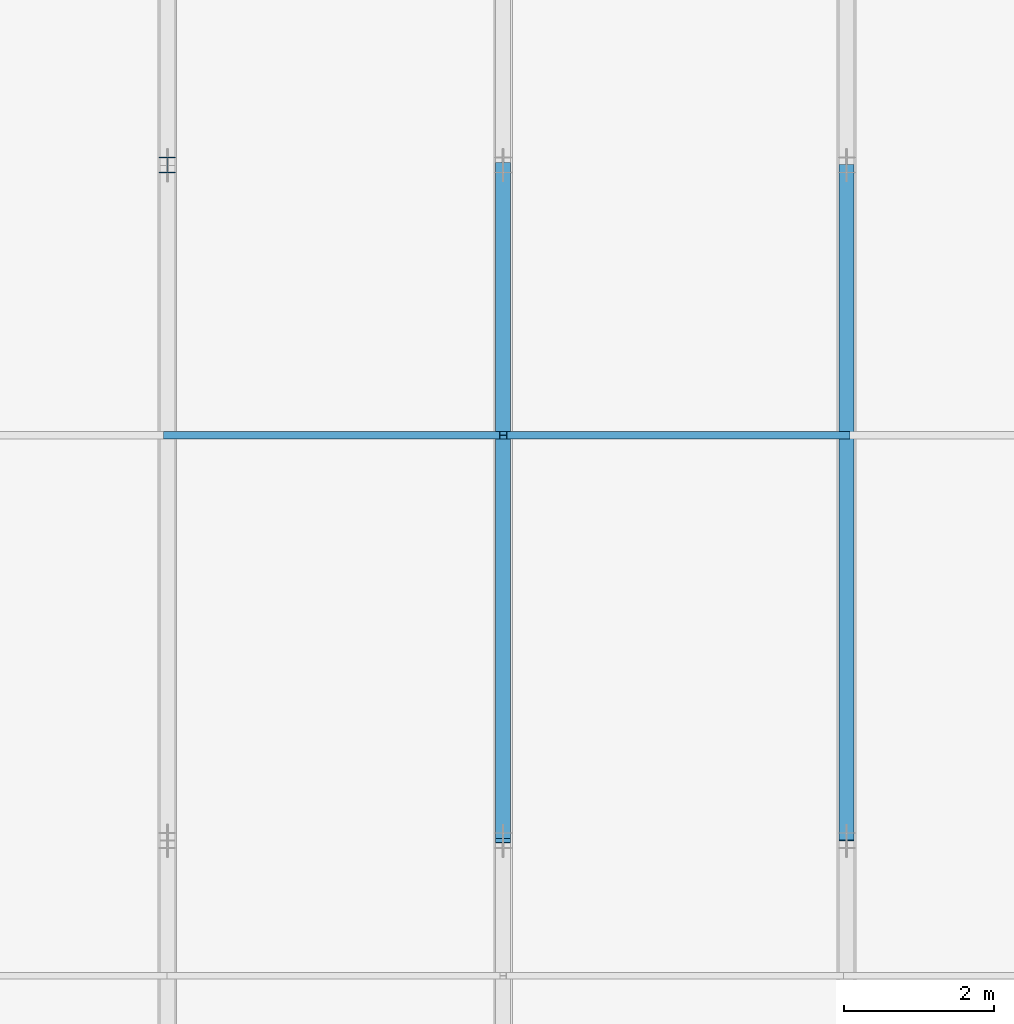
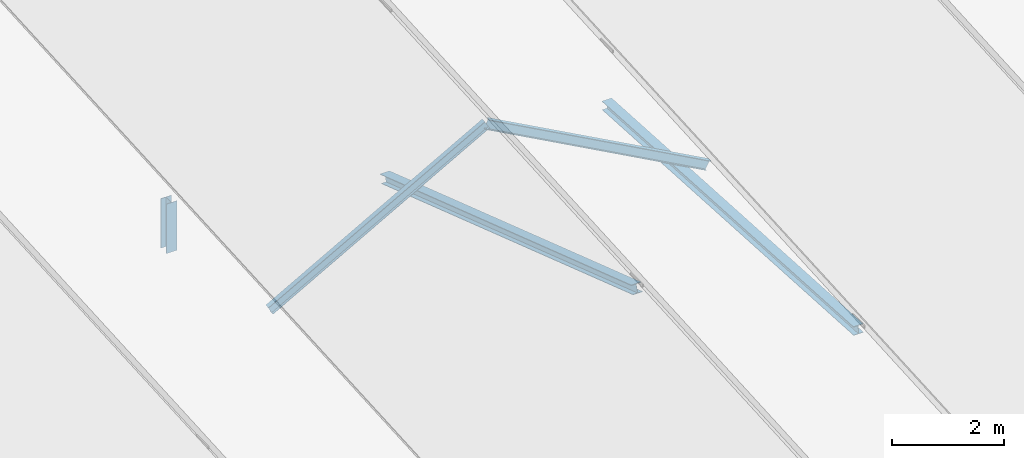
# One storey, part 38 of 142: 5 members.
"""IFC4 building model written with IfcOpenShell, lengths in metres."""

from ifc_helpers import new_model, si_unit, direction, frame, origin, origin_2d, place, context, subcontext, project, spatial, i_section, extrude, material, material_profile, profile_set, type_object, element, save


model = new_model("IFC4")

# Units and contexts
model_context = context("Model", 3, precision=1e-05, world=origin(), true_north=direction((0.0, 1.0)))
body_context = subcontext(model_context, "Body", "Model", "MODEL_VIEW")
ifc_project = project(units=[si_unit("LENGTHUNIT", "METRE"), si_unit("AREAUNIT", "SQUARE_METRE"), si_unit("VOLUMEUNIT", "CUBIC_METRE"), si_unit("PLANEANGLEUNIT", "RADIAN"), si_unit("MASSUNIT", "GRAM", prefix="KILO")], contexts=[model_context])

# Site, building, storey
site_placement = place(None, origin())
site = spatial("IfcSite", under=ifc_project, at=site_placement, CompositionType="ELEMENT")
building_placement = place(site_placement, origin())
building = spatial("IfcBuilding", under=site, at=building_placement, Name="Montelvaro Courts of Justice", CompositionType="ELEMENT")
storey_placement = place(building_placement, frame((0.0, 0.0, 14.39990234375)))
storey = spatial("IfcBuildingStorey", under=building, at=storey_placement, Name="L03", CompositionType="ELEMENT", Elevation=14.39990234375)

# Members
ifc_material = material(Name="Steel S355", Category="steel")
ifc_material_profile_1 = material_profile(ifc_material, i_section(OverallWidth=0.199951171875, OverallDepth=0.18994140625, WebThickness=0.006591796875, FlangeThickness=0.010009765625, at=origin_2d()), Name="HEA 200")
ifc_profile_set_1 = profile_set([ifc_material_profile_1], Name="Steel S355")
member_type_1 = type_object("IfcMemberType", Name="Mem_HEA200_Brace", PredefinedType="BRACE", material=ifc_profile_set_1)
member_1_placement = place(storey_placement, frame((81.050048828125, 51.0, 0.22998046875), z_axis=(0.0, 0.998271944472, -0.058763295342), x_axis=(-1.0, 0.0, 0.0)))
element("IfcMember", 1, at=member_1_placement, inside=storey, type_object=member_type_1, Name="Roof Truss Web MB-02 ROOF-PASSAGE-VTR04-W2", PredefinedType="BRACE", context=body_context, shape_type="SweptSolid", body=[
    extrude(i_section(OverallWidth=0.199951171875, OverallDepth=0.18994140625, WebThickness=0.006591796875, FlangeThickness=0.010009765625, at=origin_2d()), origin(), (0.0, 0.0, 1.0), 9.015625),
])
member_2_placement = place(storey_placement, frame((76.47509765625, 51.0, 2.72998046875), z_axis=(0.0, 0.947738147314, -0.319049218971), x_axis=(-1.0, 0.0, 0.0)))
element("IfcMember", 2, at=member_2_placement, inside=storey, type_object=member_type_1, Name="Roof Truss Web MB-02 ROOF-PASSAGE-RTR03-W2", PredefinedType="BRACE", context=body_context, shape_type="SweptSolid", body=[
    extrude(i_section(OverallWidth=0.199951171875, OverallDepth=0.18994140625, WebThickness=0.006591796875, FlangeThickness=0.010009765625, at=origin_2d()), origin(), (0.0, 0.0, 1.0), 9.496337890625),
])
ifc_material_profile_2 = material_profile(ifc_material, i_section(OverallWidth=0.219970703125, OverallDepth=0.2099609375, WebThickness=0.007080078125, FlangeThickness=0.010986328125, at=origin_2d()), Name="HEA 220")
ifc_profile_set_2 = profile_set([ifc_material_profile_2], Name="Steel S355")
member_type_2 = type_object("IfcMemberType", Name="Mem_HEA220_Post", PredefinedType="POST", material=ifc_profile_set_2)
member_3_placement = place(storey_placement, frame((72.0, 60.0, -0.2998046875), z_axis=(0.0, 0.0, 1.0), x_axis=(1.0, 0.0, 0.0)))
element("IfcMember", 3, at=member_3_placement, inside=storey, type_object=member_type_2, Name="Roof Truss Post MP-03 ROOF-PASSAGE-VTR03-V2", PredefinedType="POST", context=body_context, shape_type="SweptSolid", body=[
    extrude(i_section(OverallWidth=0.219970703125, OverallDepth=0.2099609375, WebThickness=0.007080078125, FlangeThickness=0.010986328125, at=origin_2d()), origin(), (0.0, 0.0, 1.0), 1.079833984375),
])
ifc_material_profile_3 = material_profile(ifc_material, i_section(OverallWidth=0.10009765625, OverallDepth=0.199951171875, WebThickness=0.005615234375, FlangeThickness=0.008544921875, at=origin_2d()), Name="IPE 200")
ifc_profile_set_3 = profile_set([ifc_material_profile_3], Name="Steel S355")
member_type_3 = type_object("IfcMemberType", Name="Mem_IPE200_Purlin", PredefinedType="PURLIN", material=ifc_profile_set_3)
member_4_placement = place(storey_placement, frame((72.0, 56.39990234375, 0.56005859375), z_axis=(0.873009091336, 0.0, 0.487703933185), x_axis=(0.0, 1.0, 0.0)))
element("IfcMember", 4, at=member_4_placement, inside=storey, type_object=member_type_3, Name="Roof Purlin MR-02 ROOF-PASSAGE-PRL-03-2L", PredefinedType="PURLIN", context=body_context, shape_type="SweptSolid", body=[
    extrude(i_section(OverallWidth=0.10009765625, OverallDepth=0.199951171875, WebThickness=0.005615234375, FlangeThickness=0.008544921875, at=origin_2d()), origin(), (0.0, 0.0, 1.0), 5.1259765625),
])
member_5_placement = place(storey_placement, frame((76.47509765625, 56.39990234375, 3.06005859375), z_axis=(0.877526647045, 0.0, -0.47952787586), x_axis=(0.0, 1.0, 0.0)))
element("IfcMember", 5, at=member_5_placement, inside=storey, type_object=member_type_3, Name="Roof Purlin MR-02 ROOF-PASSAGE-PRL-03-2R", PredefinedType="PURLIN", context=body_context, shape_type="SweptSolid", body=[
    extrude(i_section(OverallWidth=0.10009765625, OverallDepth=0.199951171875, WebThickness=0.005615234375, FlangeThickness=0.008544921875, at=origin_2d()), origin(), (0.0, 0.0, 1.0), 5.21337890625),
])

save(model, "model.ifc")
